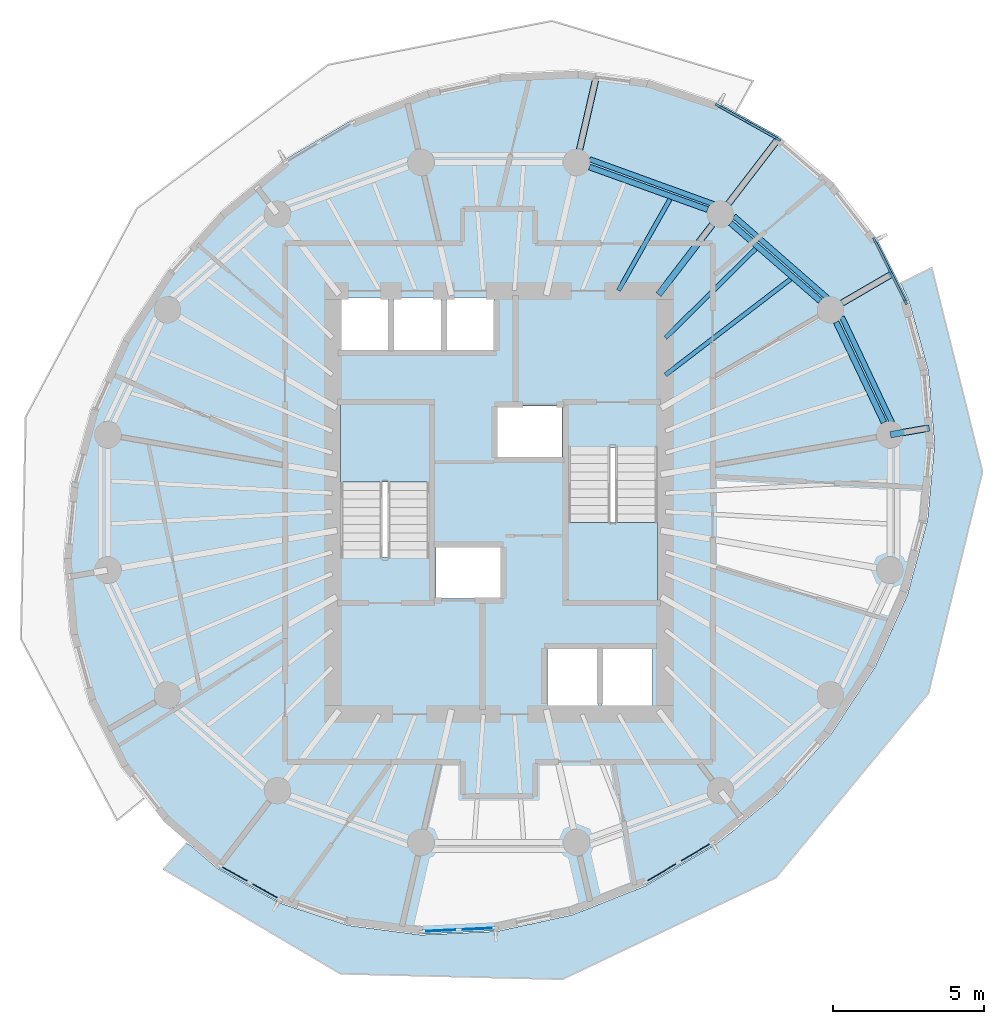
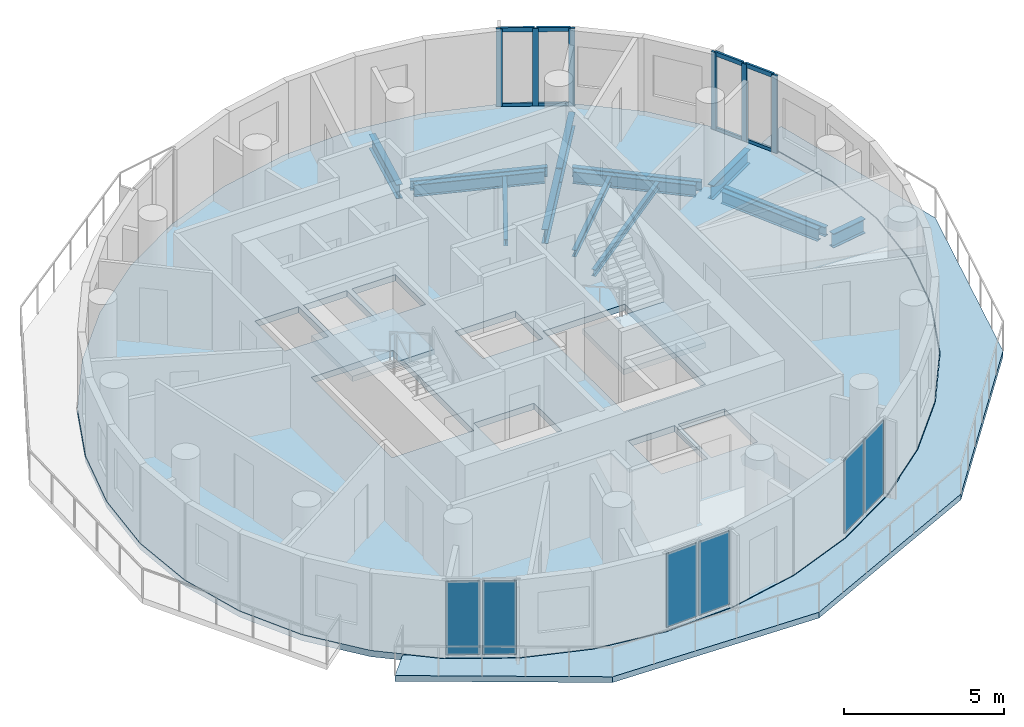
# One storey, part 3 of 10: 14 beams, 14 members, 6 plates, 4 slabs, 7 elements without a shape of their own.
"""IFC4 building model written with IfcOpenShell, lengths in metres."""

from ifc_helpers import new_model, si_unit, direction, frame, origin, origin_2d, place, context, subcontext, project, spatial, polyline, rectangle, i_section, outline, extrude, material, layer, layer_set, material_profile, profile_set, type_object, element, aggregate, save


model = new_model("IFC4")

# Units and contexts
model_context = context("Model", 3, precision=1e-05, world=origin(), true_north=direction((0.0, 1.0)))
body_context = subcontext(model_context, "Body", "Model", "MODEL_VIEW")
ifc_project = project(units=[si_unit("LENGTHUNIT", "METRE"), si_unit("AREAUNIT", "SQUARE_METRE"), si_unit("VOLUMEUNIT", "CUBIC_METRE"), si_unit("PLANEANGLEUNIT", "RADIAN"), si_unit("MASSUNIT", "GRAM", prefix="KILO")], contexts=[model_context])

# Site, building, storey
site_placement = place(None, origin())
site = spatial("IfcSite", under=ifc_project, at=site_placement, CompositionType="ELEMENT")
building_placement = place(site_placement, origin())
building = spatial("IfcBuilding", under=site, at=building_placement, Name="Veldorim Arch Residences", CompositionType="ELEMENT")
storey_placement = place(building_placement, frame((0.0, 0.0, 175.840087890625)))
storey = spatial("IfcBuildingStorey", under=building, at=storey_placement, Name="L52", CompositionType="ELEMENT", Elevation=175.840087890625)

# Beams
ifc_material_1 = material(Name="Steel S355", Category="steel")
ifc_material_profile_1 = material_profile(ifc_material_1, i_section(OverallWidth=0.2119140625, OverallDepth=0.54443359375, WebThickness=0.0126953125, FlangeThickness=0.021240234375, at=origin_2d()), Name="UB533x210x122")
ifc_profile_set_1 = profile_set([ifc_material_profile_1], Name="Steel S355")
beam_type_1 = type_object("IfcBeamType", Name="Structural Steel Beam UB533x210x122", PredefinedType="BEAM", material=ifc_profile_set_1)
beam_1_placement = place(storey_placement, frame((44.966064453125, 26.242919921875, -0.512451171875), z_axis=(0.985349902199, 0.170544921461, 0.0), x_axis=(-0.170544921461, 0.985349902199, 0.0)))
element("IfcBeam", 1, at=beam_1_placement, inside=storey, type_object=beam_type_1, Name="L52 radial edge cantilever girder 01", PredefinedType="BEAM", context=body_context, shape_type="SweptSolid", body=[
    extrude(i_section(OverallWidth=0.2119140625, OverallDepth=0.54443359375, WebThickness=0.0126953125, FlangeThickness=0.021240234375, at=origin_2d()), origin(), (0.0, 0.0, 1.0), 1.306884765625),
])
beam_2_placement = place(storey_placement, frame((42.99267578125, 30.387939453125, -0.512451171875), z_axis=(0.86459242159, 0.50247382472, 0.0), x_axis=(-0.50247382472, 0.86459242159, 0.0)))
element("IfcBeam", 2, at=beam_2_placement, inside=storey, type_object=beam_type_1, Name="L52 radial edge cantilever girder 02", PredefinedType="BEAM", context=body_context, shape_type="SweptSolid", body=[
    extrude(i_section(OverallWidth=0.2119140625, OverallDepth=0.54443359375, WebThickness=0.0126953125, FlangeThickness=0.021240234375, at=origin_2d()), origin(), (0.0, 0.0, 1.0), 2.315185546875),
])
beam_3_placement = place(storey_placement, frame((37.28662109375, 30.881103515625, -0.512451171875), z_axis=(0.609258442308, 0.792971721108, 0.0), x_axis=(-0.792971721108, 0.609258442308, 0.0)))
element("IfcBeam", 3, at=beam_3_placement, inside=storey, type_object=beam_type_1, Name="L52 radial floor girder 03", PredefinedType="BEAM", context=body_context, shape_type="SweptSolid", body=[
    extrude(i_section(OverallWidth=0.2119140625, OverallDepth=0.54443359375, WebThickness=0.0126953125, FlangeThickness=0.021240234375, at=origin_2d()), origin(), (0.0, 0.0, 1.0), 3.339599609375),
])
beam_4_placement = place(storey_placement, frame((39.345703125, 33.561279296875, -0.512451171875), z_axis=(0.609273468497, 0.792960175914, 0.0), x_axis=(-0.792960175914, 0.609273468497, 0.0)))
element("IfcBeam", 4, at=beam_4_placement, inside=storey, type_object=beam_type_1, Name="L52 radial edge cantilever girder 03", PredefinedType="BEAM", context=body_context, shape_type="SweptSolid", body=[
    extrude(i_section(OverallWidth=0.2119140625, OverallDepth=0.54443359375, WebThickness=0.0126953125, FlangeThickness=0.021240234375, at=origin_2d()), origin(), (0.0, 0.0, 1.0), 3.103515625),
])
beam_5_placement = place(storey_placement, frame((34.57958984375, 35.27880859375, -0.512451171875), z_axis=(0.222932038034, 0.974833989158, 0.0), x_axis=(-0.974833989158, 0.222932038034, 0.0)))
element("IfcBeam", 5, at=beam_5_placement, inside=storey, type_object=beam_type_1, Name="L52 radial edge cantilever girder 04", PredefinedType="BEAM", context=body_context, shape_type="SweptSolid", body=[
    extrude(i_section(OverallWidth=0.2119140625, OverallDepth=0.54443359375, WebThickness=0.0126953125, FlangeThickness=0.021240234375, at=origin_2d()), origin(), (0.0, 0.0, 1.0), 2.9052734375),
])
ifc_material_2 = material(Name="Steel S355", Category="steel")
ifc_material_profile_2 = material_profile(ifc_material_2, i_section(OverallWidth=0.146484375, OverallDepth=0.256103515625, WebThickness=0.00634765625, FlangeThickness=0.010986328125, at=origin_2d()), Name="UB254x146x37")
ifc_profile_set_2 = profile_set([ifc_material_profile_2], Name="Steel S355")
beam_type_2 = type_object("IfcBeamType", Name="Structural Steel Joist UB254x146x37", PredefinedType="JOIST", material=ifc_profile_set_2)
beam_6_placement = place(storey_placement, frame((37.515869140625, 28.222900390625, -0.3681640625), z_axis=(0.794013672216, 0.607899899929, 0.0), x_axis=(-0.607899899929, 0.794013672216, 0.0)))
element("IfcBeam", 6, at=beam_6_placement, inside=storey, type_object=beam_type_2, Name="L52 secondary radial floor joist 02-1", PredefinedType="JOIST", context=body_context, shape_type="SweptSolid", body=[
    extrude(i_section(OverallWidth=0.146484375, OverallDepth=0.256103515625, WebThickness=0.00634765625, FlangeThickness=0.010986328125, at=origin_2d()), origin(), (0.0, 0.0, 1.0), 5.217041015625),
])
beam_7_placement = place(storey_placement, frame((37.51416015625, 29.44775390625, -0.3681640625), z_axis=(0.711396725432, 0.702790650937, 0.0), x_axis=(-0.702790650937, 0.711396725432, 0.0)))
element("IfcBeam", 7, at=beam_7_placement, inside=storey, type_object=beam_type_2, Name="L52 secondary radial floor joist 02-2", PredefinedType="JOIST", context=body_context, shape_type="SweptSolid", body=[
    extrude(i_section(OverallWidth=0.146484375, OverallDepth=0.256103515625, WebThickness=0.00634765625, FlangeThickness=0.010986328125, at=origin_2d()), origin(), (0.0, 0.0, 1.0), 4.198486328125),
])
beam_8_placement = place(storey_placement, frame((35.960205078125, 31.017333984375, -0.3681640625), z_axis=(0.491452469585, 0.870904397818, 0.0), x_axis=(-0.870904397818, 0.491452469585, 0.0)))
element("IfcBeam", 8, at=beam_8_placement, inside=storey, type_object=beam_type_2, Name="L52 secondary radial floor joist 03-1", PredefinedType="JOIST", context=body_context, shape_type="SweptSolid", body=[
    extrude(i_section(OverallWidth=0.146484375, OverallDepth=0.256103515625, WebThickness=0.00634765625, FlangeThickness=0.010986328125, at=origin_2d()), origin(), (0.0, 0.0, 1.0), 3.472412109375),
])
ifc_material_3 = material(Name="Steel S355", Category="steel")
ifc_material_profile_3 = material_profile(ifc_material_3, i_section(OverallWidth=0.172119140625, OverallDepth=0.35791015625, WebThickness=0.008056640625, FlangeThickness=0.012939453125, at=origin_2d()), Name="UB356x171x57")
ifc_profile_set_3 = profile_set([ifc_material_profile_3], Name="Steel S355")
beam_type_3 = type_object("IfcBeamType", Name="Structural Steel Spandrel UB356x171x57", PredefinedType="SPANDREL", material=ifc_profile_set_3)
beam_9_placement = place(storey_placement, frame((45.0205078125, 26.6396484375, -0.439208984375), z_axis=(-0.428408308939, 0.903585259304, 0.0), x_axis=(-0.903585259304, -0.428408308939, 0.0)))
element("IfcBeam", 9, at=beam_9_placement, inside=storey, type_object=beam_type_3, Name="L52 perimeter chord spandrel beam 01", PredefinedType="SPANDREL", context=body_context, shape_type="SweptSolid", body=[
    extrude(i_section(OverallWidth=0.172119140625, OverallDepth=0.35791015625, WebThickness=0.008056640625, FlangeThickness=0.012939453125, at=origin_2d()), origin(), (0.0, 0.0, 1.0), 3.878662109375),
])
beam_10_placement = place(storey_placement, frame((42.891357421875, 30.762939453125, -0.439208984375), z_axis=(-0.752847646119, 0.6581948205, 0.0), x_axis=(-0.6581948205, -0.752847646119, 0.0)))
element("IfcBeam", 10, at=beam_10_placement, inside=storey, type_object=beam_type_3, Name="L52 perimeter chord spandrel beam 02", PredefinedType="SPANDREL", context=body_context, shape_type="SweptSolid", body=[
    extrude(i_section(OverallWidth=0.172119140625, OverallDepth=0.35791015625, WebThickness=0.008056640625, FlangeThickness=0.012939453125, at=origin_2d()), origin(), (0.0, 0.0, 1.0), 4.12939453125),
])
beam_11_placement = place(storey_placement, frame((39.112060546875, 33.87646484375, -0.439208984375), z_axis=(-0.940164695555, 0.340720332871, 0.0), x_axis=(-0.340720332871, -0.940164695555, 0.0)))
element("IfcBeam", 11, at=beam_11_placement, inside=storey, type_object=beam_type_3, Name="L52 perimeter chord spandrel beam 03", PredefinedType="SPANDREL", context=body_context, shape_type="SweptSolid", body=[
    extrude(i_section(OverallWidth=0.172119140625, OverallDepth=0.35791015625, WebThickness=0.008056640625, FlangeThickness=0.012939453125, at=origin_2d()), origin(), (0.0, 0.0, 1.0), 4.370849609375),
])
ifc_material_4 = material(Name="Steel S355", Category="steel")
ifc_material_profile_4 = material_profile(ifc_material_4, i_section(OverallWidth=0.19140625, OverallDepth=0.4599609375, WebThickness=0.010009765625, FlangeThickness=0.01611328125, at=origin_2d()), Name="UB457x191x82")
ifc_profile_set_4 = profile_set([ifc_material_profile_4], Name="Steel S355")
beam_type_4 = type_object("IfcBeamType", Name="Structural Steel Spandrel UB457x191x82", PredefinedType="SPANDREL", material=ifc_profile_set_4)
beam_12_placement = place(storey_placement, frame((44.7529296875, 26.64599609375, -0.469970703125), z_axis=(-0.430005613988, 0.902826213586, 0.0), x_axis=(-0.902826213586, -0.430005613988, 0.0)))
element("IfcBeam", 12, at=beam_12_placement, inside=storey, type_object=beam_type_4, Name="L52 perimeter ring tie beam 01", PredefinedType="SPANDREL", context=body_context, shape_type="SweptSolid", body=[
    extrude(i_section(OverallWidth=0.19140625, OverallDepth=0.4599609375, WebThickness=0.010009765625, FlangeThickness=0.01611328125, at=origin_2d()), origin(), (0.0, 0.0, 1.0), 3.68359375),
])
beam_13_placement = place(storey_placement, frame((42.635986328125, 30.673095703125, -0.469970703125), z_axis=(-0.754545285701, 0.656247980436, 0.0), x_axis=(-0.656247980436, -0.754545285701, 0.0)))
element("IfcBeam", 13, at=beam_13_placement, inside=storey, type_object=beam_type_4, Name="L52 perimeter ring tie beam 02", PredefinedType="SPANDREL", context=body_context, shape_type="SweptSolid", body=[
    extrude(i_section(OverallWidth=0.19140625, OverallDepth=0.4599609375, WebThickness=0.010009765625, FlangeThickness=0.01611328125, at=origin_2d()), origin(), (0.0, 0.0, 1.0), 3.9267578125),
])
beam_14_placement = place(storey_placement, frame((38.91015625, 33.69775390625, -0.469970703125), z_axis=(-0.940811035395, 0.338931550137, 0.0), x_axis=(-0.338931550137, -0.940811035395, 0.0)))
element("IfcBeam", 14, at=beam_14_placement, inside=storey, type_object=beam_type_4, Name="L52 perimeter ring tie beam 03", PredefinedType="SPANDREL", context=body_context, shape_type="SweptSolid", body=[
    extrude(i_section(OverallWidth=0.19140625, OverallDepth=0.4599609375, WebThickness=0.010009765625, FlangeThickness=0.01611328125, at=origin_2d()), origin(), (0.0, 0.0, 1.0), 4.15771484375),
])

# Curtain wall, members
ifc_material_5 = material(Name="Aluminium", Category="aluminium")
curtain_wall_type = type_object("IfcCurtainWallType", Name="Zone 4 High-Altitude Unitised Curtain Wall", PredefinedType="NOTDEFINED", material=ifc_material_5)
curtain_wall_1_placement = place(storey_placement, origin())
curtain_wall_1 = element("IfcCurtainWall", 15, at=curtain_wall_1_placement, inside=storey, type_object=curtain_wall_type, Name="L52 unitised curtain wall bay 02", PredefinedType="NOTDEFINED")
ifc_material_6 = material(Name="Aluminium", Category="aluminium")
ifc_material_profile_5 = material_profile(ifc_material_6, rectangle(XDim=0.074951171875, YDim=0.195068359375, at=origin_2d()), Name="ALU_MUL_75x195")
ifc_profile_set_5 = profile_set([ifc_material_profile_5], Name="Aluminium")
member_type_1 = type_object("IfcMemberType", Name="Zone 4 High-Altitude Unitised Curtain Wall Mullion 75x195", PredefinedType="MULLION", material=ifc_profile_set_5)
member_1_placement = place(storey_placement, frame((39.25390625, 37.14013671875, 0.0), z_axis=(0.0, 0.0, 1.0), x_axis=(0.487736356175, 0.872990977539, 0.0)))
member_1 = element("IfcMember", 16, at=member_1_placement, type_object=member_type_1, Name="CW-Z4 mullion 1", PredefinedType="MULLION", context=body_context, shape_type="SweptSolid", body=[
    extrude(rectangle(XDim=0.074951171875, YDim=0.195068359375, at=origin_2d()), origin(), (0.0, 0.0, 1.0), 2.9599609375),
])
member_2_placement = place(storey_placement, frame((40.24560546875, 36.586181640625, 0.0), z_axis=(0.0, 0.0, 1.0), x_axis=(0.487736356175, 0.872990977539, 0.0)))
member_2 = element("IfcMember", 17, at=member_2_placement, type_object=member_type_1, Name="CW-Z4 mullion 2", PredefinedType="MULLION", context=body_context, shape_type="SweptSolid", body=[
    extrude(rectangle(XDim=0.074951171875, YDim=0.195068359375, at=origin_2d()), origin(), (0.0, 0.0, 1.0), 2.9599609375),
])
member_3_placement = place(storey_placement, frame((41.237060546875, 36.0322265625, 0.0), z_axis=(0.0, 0.0, 1.0), x_axis=(0.487736356175, 0.872990977539, 0.0)))
member_3 = element("IfcMember", 18, at=member_3_placement, type_object=member_type_1, Name="CW-Z4 mullion 3", PredefinedType="MULLION", context=body_context, shape_type="SweptSolid", body=[
    extrude(rectangle(XDim=0.074951171875, YDim=0.195068359375, at=origin_2d()), origin(), (0.0, 0.0, 1.0), 2.9599609375),
])

curtain_wall_2_placement = place(storey_placement, origin())
curtain_wall_2 = element("IfcCurtainWall", 19, at=curtain_wall_2_placement, inside=storey, type_object=curtain_wall_type, Name="L52 unitised curtain wall bay 35", PredefinedType="NOTDEFINED")
member_4_placement = place(storey_placement, frame((44.445068359375, 32.673095703125, 0.0), z_axis=(0.0, 0.0, 1.0), x_axis=(0.894537952804, 0.446992003276, 0.0)))
member_4 = element("IfcMember", 20, at=member_4_placement, type_object=member_type_1, Name="CW-Z4 mullion 1", PredefinedType="MULLION", context=body_context, shape_type="SweptSolid", body=[
    extrude(rectangle(XDim=0.074951171875, YDim=0.195068359375, at=origin_2d()), origin(), (0.0, 0.0, 1.0), 2.9599609375),
])
member_5_placement = place(storey_placement, frame((44.95263671875, 31.656982421875, 0.0), z_axis=(0.0, 0.0, 1.0), x_axis=(0.894537952804, 0.446992003276, 0.0)))
member_5 = element("IfcMember", 21, at=member_5_placement, type_object=member_type_1, Name="CW-Z4 mullion 2", PredefinedType="MULLION", context=body_context, shape_type="SweptSolid", body=[
    extrude(rectangle(XDim=0.074951171875, YDim=0.195068359375, at=origin_2d()), origin(), (0.0, 0.0, 1.0), 2.9599609375),
])
member_6_placement = place(storey_placement, frame((45.46044921875, 30.640869140625, 0.0), z_axis=(0.0, 0.0, 1.0), x_axis=(0.894537952804, 0.446992003276, 0.0)))
member_6 = element("IfcMember", 22, at=member_6_placement, type_object=member_type_1, Name="CW-Z4 mullion 3", PredefinedType="MULLION", context=body_context, shape_type="SweptSolid", body=[
    extrude(rectangle(XDim=0.074951171875, YDim=0.195068359375, at=origin_2d()), origin(), (0.0, 0.0, 1.0), 2.9599609375),
])

# Member
ifc_material_7 = material(Name="Aluminium", Category="aluminium")
ifc_material_profile_6 = material_profile(ifc_material_7, rectangle(XDim=0.074951171875, YDim=0.1650390625, at=origin_2d()), Name="ALU_TRN_75x165")
ifc_profile_set_6 = profile_set([ifc_material_profile_6], Name="Aluminium")
member_type_2 = type_object("IfcMemberType", Name="Zone 4 High-Altitude Unitised Curtain Wall Transom 75x165", PredefinedType="USERDEFINED", material=ifc_profile_set_6)
member_7_placement = place(storey_placement, frame((39.28662109375, 37.121826171875, 0.037353515625), z_axis=(0.873058743118, -0.487615043929, 0.0), x_axis=(0.487615043929, 0.873058743118, 0.0)))
member_7 = element("IfcMember", 23, at=member_7_placement, type_object=member_type_2, Name="CW-Z4 transom 1.1", ObjectType="TRANSOM", PredefinedType="USERDEFINED", context=body_context, shape_type="SweptSolid", body=[
    extrude(rectangle(XDim=0.074951171875, YDim=0.1650390625, at=origin_2d()), origin(), (0.0, 0.0, 1.0), 1.06103515625),
])

member_8_placement = place(storey_placement, frame((39.28662109375, 37.121826171875, 2.92236328125), z_axis=(0.873058743118, -0.487615043929, 0.0), x_axis=(0.487615043929, 0.873058743118, 0.0)))
member_8 = element("IfcMember", 24, at=member_8_placement, type_object=member_type_2, Name="CW-Z4 transom 1.2", ObjectType="TRANSOM", PredefinedType="USERDEFINED", context=body_context, shape_type="SweptSolid", body=[
    extrude(rectangle(XDim=0.074951171875, YDim=0.1650390625, at=origin_2d()), origin(), (0.0, 0.0, 1.0), 1.06103515625),
])

member_9_placement = place(storey_placement, frame((40.2783203125, 36.56787109375, 0.037353515625), z_axis=(0.87300401239, -0.487713024586, 0.0), x_axis=(0.487713024586, 0.87300401239, 0.0)))
member_9 = element("IfcMember", 25, at=member_9_placement, type_object=member_type_2, Name="CW-Z4 transom 2.1", ObjectType="TRANSOM", PredefinedType="USERDEFINED", context=body_context, shape_type="SweptSolid", body=[
    extrude(rectangle(XDim=0.074951171875, YDim=0.1650390625, at=origin_2d()), origin(), (0.0, 0.0, 1.0), 1.060791015625),
])

member_10_placement = place(storey_placement, frame((40.2783203125, 36.56787109375, 2.92236328125), z_axis=(0.87300401239, -0.487713024586, 0.0), x_axis=(0.487713024586, 0.87300401239, 0.0)))
member_10 = element("IfcMember", 26, at=member_10_placement, type_object=member_type_2, Name="CW-Z4 transom 2.2", ObjectType="TRANSOM", PredefinedType="USERDEFINED", context=body_context, shape_type="SweptSolid", body=[
    extrude(rectangle(XDim=0.074951171875, YDim=0.1650390625, at=origin_2d()), origin(), (0.0, 0.0, 1.0), 1.060791015625),
])

aggregate(curtain_wall_1, [member_1, member_2, member_3, member_7, member_8, member_9, member_10])

member_11_placement = place(storey_placement, frame((44.461669921875, 32.6396484375, 0.037353515625), z_axis=(0.447121545464, -0.894473210097, 0.0), x_axis=(0.894473210097, 0.447121545464, 0.0)))
member_11 = element("IfcMember", 27, at=member_11_placement, type_object=member_type_2, Name="CW-Z4 transom 1.1", ObjectType="TRANSOM", PredefinedType="USERDEFINED", context=body_context, shape_type="SweptSolid", body=[
    extrude(rectangle(XDim=0.074951171875, YDim=0.1650390625, at=origin_2d()), origin(), (0.0, 0.0, 1.0), 1.06103515625),
])

member_12_placement = place(storey_placement, frame((44.461669921875, 32.6396484375, 2.92236328125), z_axis=(0.447121545464, -0.894473210097, 0.0), x_axis=(0.894473210097, 0.447121545464, 0.0)))
member_12 = element("IfcMember", 28, at=member_12_placement, type_object=member_type_2, Name="CW-Z4 transom 1.2", ObjectType="TRANSOM", PredefinedType="USERDEFINED", context=body_context, shape_type="SweptSolid", body=[
    extrude(rectangle(XDim=0.074951171875, YDim=0.1650390625, at=origin_2d()), origin(), (0.0, 0.0, 1.0), 1.06103515625),
])

member_13_placement = place(storey_placement, frame((44.969482421875, 31.62353515625, 0.037353515625), z_axis=(0.446937402769, -0.89456523407, 0.0), x_axis=(0.89456523407, 0.446937402769, 0.0)))
member_13 = element("IfcMember", 29, at=member_13_placement, type_object=member_type_2, Name="CW-Z4 transom 2.1", ObjectType="TRANSOM", PredefinedType="USERDEFINED", context=body_context, shape_type="SweptSolid", body=[
    extrude(rectangle(XDim=0.074951171875, YDim=0.1650390625, at=origin_2d()), origin(), (0.0, 0.0, 1.0), 1.060791015625),
])

member_14_placement = place(storey_placement, frame((44.969482421875, 31.62353515625, 2.92236328125), z_axis=(0.446937402769, -0.89456523407, 0.0), x_axis=(0.89456523407, 0.446937402769, 0.0)))
member_14 = element("IfcMember", 30, at=member_14_placement, type_object=member_type_2, Name="CW-Z4 transom 2.2", ObjectType="TRANSOM", PredefinedType="USERDEFINED", context=body_context, shape_type="SweptSolid", body=[
    extrude(rectangle(XDim=0.074951171875, YDim=0.1650390625, at=origin_2d()), origin(), (0.0, 0.0, 1.0), 1.060791015625),
])

aggregate(curtain_wall_2, [member_4, member_5, member_6, member_11, member_12, member_13, member_14])

# Slab
ifc_material_8 = material(Name="Concrete C40/50", Category="concrete")
ifc_layer_1 = layer(ifc_material_8, 0.219970703125, Name="Planted Crescent Cantilever Balcony Slab 220")
ifc_layer_set_1 = layer_set([ifc_layer_1], Name="Concrete C40/50")
slab_type_1 = type_object("IfcSlabType", Name="Planted Crescent Cantilever Balcony Slab 220", PredefinedType="FLOOR", material=ifc_layer_set_1)
slab_1_placement = place(storey_placement, frame((0.0, 0.0, -0.219970703125)))
element("IfcSlab", 31, at=slab_1_placement, inside=storey, type_object=slab_type_1, Name="L52 planted crescent balcony slab B", PredefinedType="FLOOR", context=body_context, shape_type="SweptSolid", body=[
    extrude(outline(polyline([(21.7763671875, 12.65380859375), (22.671875, 11.886962890625), (24.724853515625, 10.739990234375), (26.998779296875, 9.99609375), (29.424560546875, 9.677734375), (31.928466796875, 9.794677734375), (34.434326171875, 10.34326171875), (36.865966796875, 11.306640625), (39.14990234375, 12.6552734375), (39.906494140625, 13.247314453125), (39.985595703125, 13.340087890625), (41.216552734375, 14.348876953125), (43.00341796875, 16.335205078125), (44.455810546875, 18.554443359375), (45.530029296875, 20.939208984375), (46.193603515625, 23.417236328125), (46.331298828125, 24.897216796875), (46.367431640625, 25.01806640625), (46.351318359375, 25.11279296875), (46.42578125, 25.912841796875), (46.219482421875, 28.350830078125), (45.5810546875, 30.656494140625), (45.3046875, 31.2578125), (46.333984375, 31.7705078125), (48.014892578125, 25.020263671875), (46.223388671875, 17.680419921875), (41.178466796875, 11.576171875), (34.107421875, 8.210205078125), (26.752685546875, 8.3916015625), (20.890625, 11.85595703125), (21.658935546875, 12.711669921875), (21.7763671875, 12.65380859375)])), origin(), (0.0, 0.0, 1.0), 0.219970703125),
])

# Stair, slab
ifc_material_9 = material(Name="Concrete C40/50", Category="concrete")
stair_type = type_object("IfcStairType", Name="Reinforced Concrete Dogleg Exit Staircase", PredefinedType="HALF_TURN_STAIR", material=ifc_material_9)
stair_1_placement = place(storey_placement, origin())
stair_1 = element("IfcStair", 32, at=stair_1_placement, inside=storey, type_object=stair_type, Name="L52 Exit Staircase ST-1", PredefinedType="HALF_TURN_STAIR")
ifc_material_10 = material(Name="Concrete C40/50", Category="concrete")
ifc_layer_2 = layer(ifc_material_10, 0.199951171875, Name="Reinforced Concrete Stair Landing 200")
ifc_layer_set_2 = layer_set([ifc_layer_2], Name="Concrete C40/50")
slab_type_2 = type_object("IfcSlabType", Name="Reinforced Concrete Stair Landing 200", PredefinedType="LANDING", material=ifc_layer_set_2)
slab_2_placement = place(storey_placement, frame((0.0, 0.0, 1.39990234375)))
slab_2 = element("IfcSlab", 33, at=slab_2_placement, type_object=slab_type_2, Name="ST-1 landing 1", PredefinedType="LANDING", context=body_context, shape_type="SweptSolid", body=[
    extrude(outline(polyline([(29.7099609375, 24.669921875), (29.7099609375, 27.25), (26.75, 27.25), (26.75, 24.669921875), (29.7099609375, 24.669921875)])), origin(), (0.0, 0.0, 1.0), 0.199951171875),
])
aggregate(stair_1, [slab_2])

stair_2_placement = place(storey_placement, origin())
stair_2 = element("IfcStair", 34, at=stair_2_placement, inside=storey, type_object=stair_type, Name="L52 Exit Staircase ST-2", PredefinedType="HALF_TURN_STAIR")
slab_3_placement = place(storey_placement, frame((0.0, 0.0, 1.39990234375)))
slab_3 = element("IfcSlab", 35, at=slab_3_placement, type_object=slab_type_2, Name="ST-2 landing 1", PredefinedType="LANDING", context=body_context, shape_type="SweptSolid", body=[
    extrude(outline(polyline([(34.2900390625, 23.330078125), (34.2900390625, 20.75), (37.25, 20.75), (37.25, 23.330078125), (34.2900390625, 23.330078125)])), origin(), (0.0, 0.0, 1.0), 0.199951171875),
])
aggregate(stair_2, [slab_3])

# Slab
ifc_material_11 = material(Name="Concrete C40/50", Category="concrete")
ifc_layer_3 = layer(ifc_material_11, 0.239990234375, Name="Typical Residential Floor Slab 240")
ifc_layer_set_3 = layer_set([ifc_layer_3], Name="Concrete C40/50")
slab_type_3 = type_object("IfcSlabType", Name="Typical Residential Floor Slab 240", PredefinedType="FLOOR", material=ifc_layer_set_3)
slab_4_placement = place(storey_placement, frame((0.0, 0.0, -0.239990234375)))
element("IfcSlab", 36, at=slab_4_placement, inside=storey, type_object=slab_type_3, Name="L52 tower structural floor slab", PredefinedType="FLOOR", context=body_context, shape_type="SweptSolid", body=[
    extrude(outline(polyline([(43.07958984375, 34.58056640625), (41.313720703125, 36.092529296875), (39.26513671875, 37.237060546875), (36.99560546875, 37.9794921875), (34.57421875, 38.297119140625), (32.07470703125, 38.180419921875), (29.572998046875, 37.6328125), (27.14501953125, 36.6708984375), (24.864501953125, 35.32421875), (22.80078125, 33.633056640625), (21.0166015625, 31.6494140625), (19.566162109375, 29.43359375), (18.493408203125, 27.05224609375), (17.831298828125, 24.578369140625), (17.599365234375, 22.0869140625), (17.80517578125, 19.653564453125), (18.4423828125, 17.352294921875), (19.4912109375, 15.253173828125), (20.92041015625, 13.41943359375), (22.686279296875, 11.907470703125), (24.73486328125, 10.762939453125), (27.00439453125, 10.0205078125), (29.42578125, 9.702880859375), (31.92529296875, 9.819580078125), (34.427001953125, 10.3671875), (36.85498046875, 11.3291015625), (39.135498046875, 12.67578125), (41.19921875, 14.366943359375), (42.9833984375, 16.3505859375), (44.433837890625, 18.56640625), (45.506591796875, 20.94775390625), (46.168701171875, 23.421630859375), (46.400634765625, 25.9130859375), (46.19482421875, 28.346435546875), (45.5576171875, 30.647705078125), (44.5087890625, 32.746826171875), (43.07958984375, 34.58056640625)]), holes=[polyline([(33.610107421875, 17.2099609375), (33.610107421875, 19.2900390625), (35.2900390625, 19.2900390625), (35.2900390625, 17.2099609375), (33.610107421875, 17.2099609375)]), polyline([(35.409912109375, 17.2099609375), (35.409912109375, 19.2900390625), (37.090087890625, 19.2900390625), (37.090087890625, 17.2099609375), (35.409912109375, 17.2099609375)]), polyline([(29.909912109375, 20.81494140625), (29.909912109375, 22.544921875), (32.090087890625, 22.544921875), (32.090087890625, 20.81494140625), (29.909912109375, 20.81494140625)]), polyline([(34.2900390625, 20.75), (34.2900390625, 25.804931640625), (37.25, 25.804931640625), (37.25, 20.75), (34.2900390625, 20.75)]), polyline([(26.75, 22.195068359375), (26.75, 27.25), (29.7099609375, 27.25), (29.7099609375, 22.195068359375), (26.75, 22.195068359375)]), polyline([(31.909912109375, 25.455078125), (31.909912109375, 27.18505859375), (34.090087890625, 27.18505859375), (34.090087890625, 25.455078125), (31.909912109375, 25.455078125)]), polyline([(26.760009765625, 28.909912109375), (26.760009765625, 30.7900390625), (28.340087890625, 30.7900390625), (28.340087890625, 28.909912109375), (26.760009765625, 28.909912109375)]), polyline([(28.510009765625, 30.7900390625), (30.090087890625, 30.7900390625), (30.090087890625, 28.909912109375), (28.510009765625, 28.909912109375), (28.510009765625, 30.7900390625)]), polyline([(30.260009765625, 30.7900390625), (31.840087890625, 30.7900390625), (31.840087890625, 28.909912109375), (30.260009765625, 28.909912109375), (30.260009765625, 30.7900390625)])]), origin(), (0.0, 0.0, 1.0), 0.239990234375),
])

# Curtain wall, plates
curtain_wall_3_placement = place(storey_placement, origin())
curtain_wall_3 = element("IfcCurtainWall", 37, at=curtain_wall_3_placement, inside=storey, type_object=curtain_wall_type, Name="L52 unitised curtain wall bay 20", PredefinedType="NOTDEFINED")
ifc_material_12 = material(Name="Laminated Low-E Glass", Category="glass")
ifc_layer_4 = layer(ifc_material_12, 0.030029296875, Name="Zone 4 High-Altitude Unitised Curtain Wall Glazing Panel 30")
ifc_layer_set_4 = layer_set([ifc_layer_4], Name="Laminated Low-E Glass")
plate_type = type_object("IfcPlateType", Name="Zone 4 High-Altitude Unitised Curtain Wall Glazing Panel 30", PredefinedType="CURTAIN_PANEL", material=ifc_layer_set_4)
plate_1_placement = place(storey_placement, frame((24.250244140625, 11.13671875, 0.074951171875), z_axis=(0.0, 0.0, 1.0), x_axis=(-0.872990977539, 0.487736356175, 0.0)))
plate_1 = element("IfcPlate", 38, at=plate_1_placement, type_object=plate_type, Name="CW-Z4 panel 1.1", PredefinedType="CURTAIN_PANEL", context=body_context, shape_type="SweptSolid", body=[
    extrude(rectangle(XDim=1.060791015625, YDim=0.030029296875, at=origin_2d()), origin(), (0.0, 0.0, 1.0), 2.81005859375),
])
plate_2_placement = place(storey_placement, frame((23.258544921875, 11.69091796875, 0.074951171875), z_axis=(0.0, 0.0, 1.0), x_axis=(-0.872990977539, 0.487736356175, 0.0)))
plate_2 = element("IfcPlate", 39, at=plate_2_placement, type_object=plate_type, Name="CW-Z4 panel 2.1", PredefinedType="CURTAIN_PANEL", context=body_context, shape_type="SweptSolid", body=[
    extrude(rectangle(XDim=1.060791015625, YDim=0.030029296875, at=origin_2d()), origin(), (0.0, 0.0, 1.0), 2.81005859375),
])
aggregate(curtain_wall_3, [plate_1, plate_2])

curtain_wall_4_placement = place(storey_placement, origin())
curtain_wall_4 = element("IfcCurtainWall", 40, at=curtain_wall_4_placement, inside=storey, type_object=curtain_wall_type, Name="L52 unitised curtain wall bay 23", PredefinedType="NOTDEFINED")
plate_3_placement = place(storey_placement, frame((31.27734375, 9.87939453125, 0.074951171875), z_axis=(0.0, 0.0, 1.0), x_axis=(-0.998909968962, -0.046678409438, 0.0)))
plate_3 = element("IfcPlate", 41, at=plate_3_placement, type_object=plate_type, Name="CW-Z4 panel 1.1", PredefinedType="CURTAIN_PANEL", context=body_context, shape_type="SweptSolid", body=[
    extrude(rectangle(XDim=1.138671875, YDim=0.030029296875, at=origin_2d()), origin(), (0.0, 0.0, 1.0), 2.81005859375),
])
plate_4_placement = place(storey_placement, frame((30.065185546875, 9.82275390625, 0.074951171875), z_axis=(0.0, 0.0, 1.0), x_axis=(-0.998909968962, -0.046678409438, 0.0)))
plate_4 = element("IfcPlate", 42, at=plate_4_placement, type_object=plate_type, Name="CW-Z4 panel 2.1", PredefinedType="CURTAIN_PANEL", context=body_context, shape_type="SweptSolid", body=[
    extrude(rectangle(XDim=1.138671875, YDim=0.030029296875, at=origin_2d()), origin(), (0.0, 0.0, 1.0), 2.81005859375),
])
aggregate(curtain_wall_4, [plate_3, plate_4])

curtain_wall_5_placement = place(storey_placement, origin())
curtain_wall_5 = element("IfcCurtainWall", 43, at=curtain_wall_5_placement, inside=storey, type_object=curtain_wall_type, Name="L52 unitised curtain wall bay 26", PredefinedType="NOTDEFINED")
plate_5_placement = place(storey_placement, frame((38.50341796875, 12.4072265625, 0.074951171875), z_axis=(0.0, 0.0, 1.0), x_axis=(-0.861053534494, -0.508514317139, 0.0)))
plate_5 = element("IfcPlate", 44, at=plate_5_placement, type_object=plate_type, Name="CW-Z4 panel 1.1", PredefinedType="CURTAIN_PANEL", context=body_context, shape_type="SweptSolid", body=[
    extrude(rectangle(XDim=1.211669921875, YDim=0.030029296875, at=origin_2d()), origin(), (0.0, 0.0, 1.0), 2.81005859375),
])
plate_6_placement = place(storey_placement, frame((37.3955078125, 11.7529296875, 0.074951171875), z_axis=(0.0, 0.0, 1.0), x_axis=(-0.861053534494, -0.508514317139, 0.0)))
plate_6 = element("IfcPlate", 45, at=plate_6_placement, type_object=plate_type, Name="CW-Z4 panel 2.1", PredefinedType="CURTAIN_PANEL", context=body_context, shape_type="SweptSolid", body=[
    extrude(rectangle(XDim=1.211669921875, YDim=0.030029296875, at=origin_2d()), origin(), (0.0, 0.0, 1.0), 2.81005859375),
])
aggregate(curtain_wall_5, [plate_5, plate_6])

save(model, "model.ifc")
